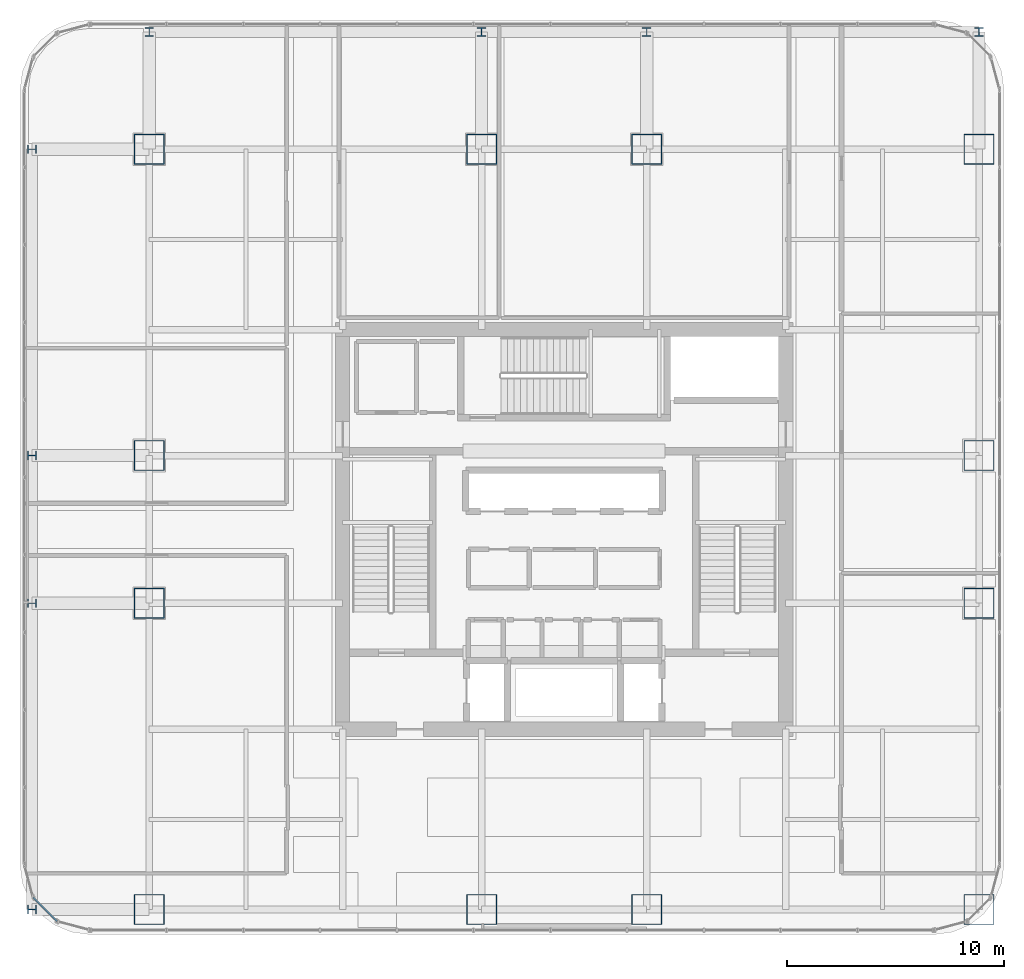
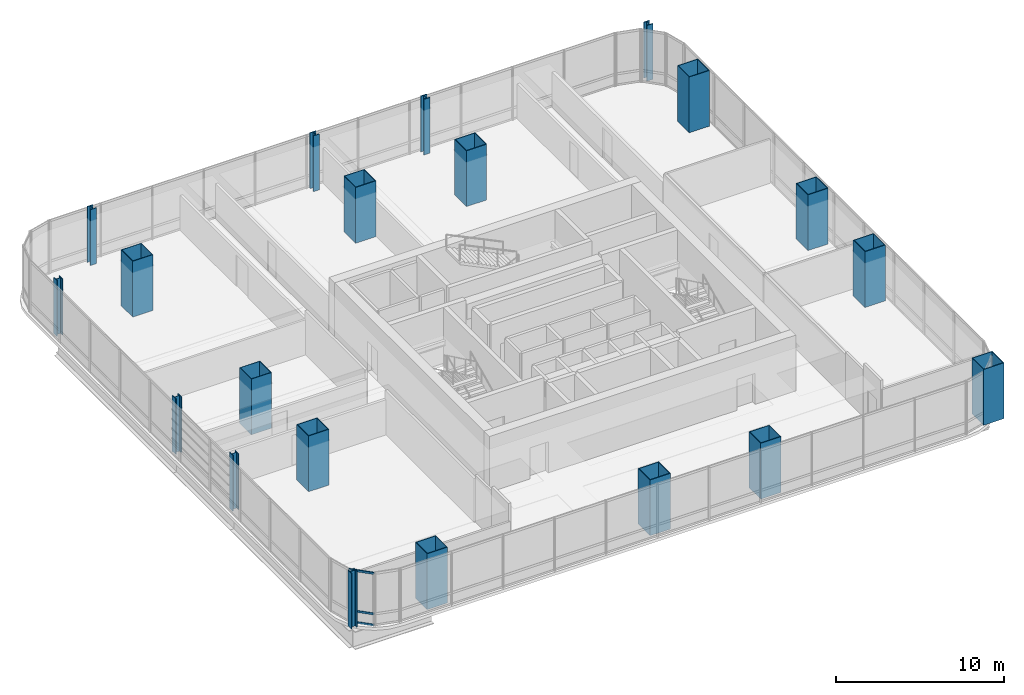
# One storey, part 1 of 38: 20 columns, 3 members, 1 element without a shape of its own.
"""IFC4 building model written with IfcOpenShell, lengths in metres."""

from ifc_helpers import new_model, si_unit, direction, frame, origin, origin_2d, place, context, subcontext, project, spatial, hollow_rectangle, i_section, extrude, material, material_profile, profile_set, type_object, element, aggregate, save


model = new_model("IFC4")

# Units and contexts
model_context = context("Model", 3, precision=1e-05, world=origin(), true_north=direction((0.0, 1.0)))
body_context = subcontext(model_context, "Body", "Model", "MODEL_VIEW")
ifc_project = project(units=[si_unit("LENGTHUNIT", "METRE"), si_unit("AREAUNIT", "SQUARE_METRE"), si_unit("VOLUMEUNIT", "CUBIC_METRE"), si_unit("PLANEANGLEUNIT", "RADIAN"), si_unit("MASSUNIT", "GRAM", prefix="KILO")], contexts=[model_context])

# Site, building, storey
site_placement = place(None, origin())
site = spatial("IfcSite", under=ifc_project, at=site_placement, CompositionType="ELEMENT")
building_placement = place(site_placement, origin())
building = spatial("IfcBuilding", under=site, at=building_placement, Name="Punatoya Terracotta Tower", CompositionType="ELEMENT")
storey_placement = place(building_placement, frame((0.0, 0.0, 143.85009765625)))
storey = spatial("IfcBuildingStorey", under=building, at=storey_placement, Name="L33", CompositionType="ELEMENT", Elevation=143.85009765625)

# Columns
ifc_material_1 = material(Name="Steel S460", Category="steel")
ifc_material_profile_1 = material_profile(ifc_material_1, i_section(OverallWidth=0.408935546875, OverallDepth=0.425048828125, WebThickness=0.031982421875, FlangeThickness=0.052001953125, FilletRadius=0.01806640625, at=origin_2d()))
ifc_profile_set_1 = profile_set([ifc_material_profile_1], Name="Steel S460")
column_type_1 = type_object("IfcColumnType", Name="COL-EX-M2", PredefinedType="COLUMN", material=ifc_profile_set_1)
for number, where, z_axis, x_axis, name in (
    (1, (-19.10009765625, 22.89990234375, 0.0), (0.0, 0.0, 1.0), (1.0, 0.0, 0.0), "L33 Exoskeleton Perimeter Column N1"),
    (2, (-3.800048828125, 22.89990234375, 0.0), (0.0, 0.0, 1.0), (1.0, 0.0, 0.0), "L33 Exoskeleton Perimeter Column N2"),
    (3, (3.800048828125, 22.89990234375, 0.0), (0.0, 0.0, 1.0), (1.0, 0.0, 0.0), "L33 Exoskeleton Perimeter Column N3"),
    (4, (19.10009765625, 22.89990234375, 0.0), (0.0, 0.0, 1.0), (1.0, 0.0, 0.0), "L33 Exoskeleton Perimeter Column N4"),
    (5, (-24.5, -17.5, 0.0), (0.0, 0.0, 1.0), (0.0, 1.0, 0.0), "L33 Exoskeleton Perimeter Column W1"),
    (6, (-24.5, -3.39990234375, 0.0), (0.0, 0.0, 1.0), (0.0, 1.0, 0.0), "L33 Exoskeleton Perimeter Column W2"),
    (7, (-24.5, 3.39990234375, 0.0), (0.0, 0.0, 1.0), (0.0, 1.0, 0.0), "L33 Exoskeleton Perimeter Column W3"),
    (8, (-24.5, 17.5, 0.0), (0.0, 0.0, 1.0), (0.0, 1.0, 0.0), "L33 Exoskeleton Perimeter Column W4"),
):
    element("IfcColumn", number, at=place(storey_placement, frame(where, z_axis=z_axis, x_axis=x_axis)), inside=storey, type_object=column_type_1, Name=name, PredefinedType="COLUMN", context=body_context, shape_type="SweptSolid", body=[
        extrude(i_section(OverallWidth=0.408935546875, OverallDepth=0.425048828125, WebThickness=0.031982421875, FlangeThickness=0.052001953125, FilletRadius=0.01806640625, at=origin_2d()), origin(), (0.0, 0.0, 1.0), 4.0478515625),
    ])
ifc_material_profile_2 = material_profile(ifc_material_1, hollow_rectangle(XDim=1.39990234375, YDim=1.39990234375, WallThickness=0.0419921875, at=origin_2d()))
ifc_profile_set_2 = profile_set([ifc_material_profile_2], Name="Steel S460")
column_type_2 = type_object("IfcColumnType", Name="COL-MC-Z2", PredefinedType="COLUMN", material=ifc_profile_set_2)
for number, where, z_axis, x_axis, name in (
    (9, (-19.10009765625, -17.5, 0.0), (0.0, 0.0, 1.0), (1.0, 0.0, 0.0), "L33 Composite Mega-Column MC-01 (3-B)"),
    (10, (-3.800048828125, -17.5, 0.0), (0.0, 0.0, 1.0), (1.0, 0.0, 0.0), "L33 Composite Mega-Column MC-02 (5-B)"),
    (11, (3.800048828125, -17.5, 0.0), (0.0, 0.0, 1.0), (1.0, 0.0, 0.0), "L33 Composite Mega-Column MC-03 (7-B)"),
    (12, (19.10009765625, -17.5, 0.0), (0.0, 0.0, 1.0), (1.0, 0.0, 0.0), "L33 Composite Mega-Column MC-04 (9-B)"),
    (13, (19.10009765625, -3.39990234375, 0.0), (0.0, 0.0, 1.0), (1.0, 0.0, 0.0), "L33 Composite Mega-Column MC-05 (9-D)"),
    (14, (19.10009765625, 3.39990234375, 0.0), (0.0, 0.0, 1.0), (1.0, 0.0, 0.0), "L33 Composite Mega-Column MC-06 (9-E)"),
    (15, (19.10009765625, 17.5, 0.0), (0.0, 0.0, 1.0), (1.0, 0.0, 0.0), "L33 Composite Mega-Column MC-07 (9-G)"),
    (16, (3.800048828125, 17.5, 0.0), (0.0, 0.0, 1.0), (1.0, 0.0, 0.0), "L33 Composite Mega-Column MC-08 (7-G)"),
    (17, (-3.800048828125, 17.5, 0.0), (0.0, 0.0, 1.0), (1.0, 0.0, 0.0), "L33 Composite Mega-Column MC-09 (5-G)"),
    (18, (-19.10009765625, 17.5, 0.0), (0.0, 0.0, 1.0), (1.0, 0.0, 0.0), "L33 Composite Mega-Column MC-10 (3-G)"),
    (19, (-19.10009765625, 3.39990234375, 0.0), (0.0, 0.0, 1.0), (1.0, 0.0, 0.0), "L33 Composite Mega-Column MC-11 (3-E)"),
    (20, (-19.10009765625, -3.39990234375, 0.0), (0.0, 0.0, 1.0), (1.0, 0.0, 0.0), "L33 Composite Mega-Column MC-12 (3-D)"),
):
    element("IfcColumn", number, at=place(storey_placement, frame(where, z_axis=z_axis, x_axis=x_axis)), inside=storey, type_object=column_type_2, Name=name, PredefinedType="COLUMN", context=body_context, shape_type="SweptSolid", body=[
        extrude(hollow_rectangle(XDim=1.39990234375, YDim=1.39990234375, WallThickness=0.0419921875, at=origin_2d()), origin(), (0.0, 0.0, 1.0), 4.0498046875),
    ])

# Curtain wall, members
ifc_material_2 = material(Name="Aluminium 6063-T6 + Double Low-E Glass", Category="aluminium")
curtain_wall_type = type_object("IfcCurtainWallType", Name="CW-M2", PredefinedType="NOTDEFINED", material=ifc_material_2)
curtain_wall_placement = place(storey_placement, origin())
curtain_wall = element("IfcCurtainWall", 21, at=curtain_wall_placement, inside=storey, type_object=curtain_wall_type, Name="L33 Curtain Wall CW-L33-CRN15", PredefinedType="NOTDEFINED")
ifc_material_3 = material(Name="Aluminium 6063-T6", Category="aluminium")
ifc_material_profile_3 = material_profile(ifc_material_3, hollow_rectangle(XDim=0.068115234375, YDim=0.14990234375, WallThickness=0.00390625, at=origin_2d()))
ifc_profile_set_3 = profile_set([ifc_material_profile_3], Name="Aluminium 6063-T6")
member_type = type_object("IfcMemberType", Name="CW-TRN-TYP", PredefinedType="USERDEFINED", material=ifc_profile_set_3)
member_1_placement = place(storey_placement, frame((-24.446533203125, -16.94921875, 0.039794921875), z_axis=(0.707106781187, -0.707106781187, 0.0), x_axis=(0.707106781187, 0.707106781187, 0.0)))
member_1 = element("IfcMember", 22, at=member_1_placement, type_object=member_type, Name="CW-L33-CRN15 Transom 1", ObjectType="TRANSOM", PredefinedType="USERDEFINED", context=body_context, shape_type="SweptSolid", body=[
    extrude(hollow_rectangle(XDim=0.068115234375, YDim=0.14990234375, WallThickness=0.00390625, at=origin_2d()), origin(), (0.0, 0.0, 1.0), 1.552001953125),
])
member_2_placement = place(storey_placement, frame((-24.446533203125, -16.94921875, 0.849853515625), z_axis=(0.707106781187, -0.707106781187, 0.0), x_axis=(0.707106781187, 0.707106781187, 0.0)))
member_2 = element("IfcMember", 23, at=member_2_placement, type_object=member_type, Name="CW-L33-CRN15 Transom 2", ObjectType="TRANSOM", PredefinedType="USERDEFINED", context=body_context, shape_type="SweptSolid", body=[
    extrude(hollow_rectangle(XDim=0.068115234375, YDim=0.14990234375, WallThickness=0.00390625, at=origin_2d()), origin(), (0.0, 0.0, 1.0), 1.552001953125),
])
member_3_placement = place(storey_placement, frame((-24.446533203125, -16.94921875, 3.789794921875), z_axis=(0.707106781187, -0.707106781187, 0.0), x_axis=(0.707106781187, 0.707106781187, 0.0)))
member_3 = element("IfcMember", 24, at=member_3_placement, type_object=member_type, Name="CW-L33-CRN15 Transom 3", ObjectType="TRANSOM", PredefinedType="USERDEFINED", context=body_context, shape_type="SweptSolid", body=[
    extrude(hollow_rectangle(XDim=0.068115234375, YDim=0.14990234375, WallThickness=0.00390625, at=origin_2d()), origin(), (0.0, 0.0, 1.0), 1.552001953125),
])
aggregate(curtain_wall, [member_1, member_2, member_3])

save(model, "model.ifc")
